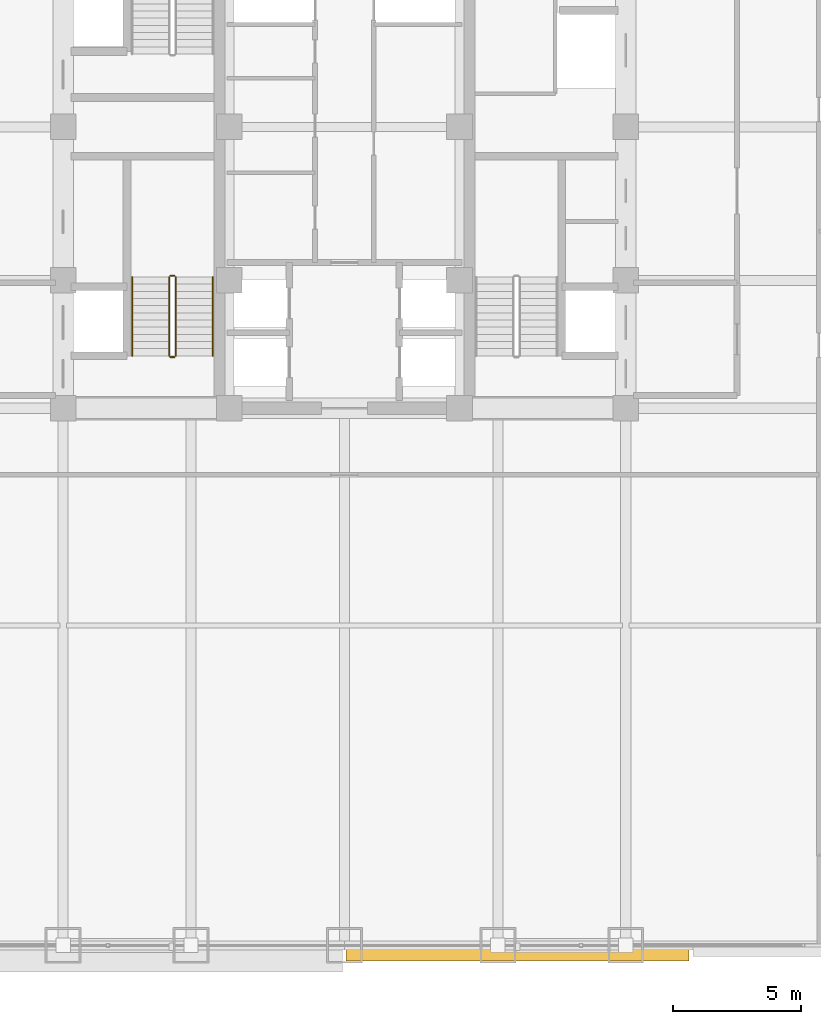
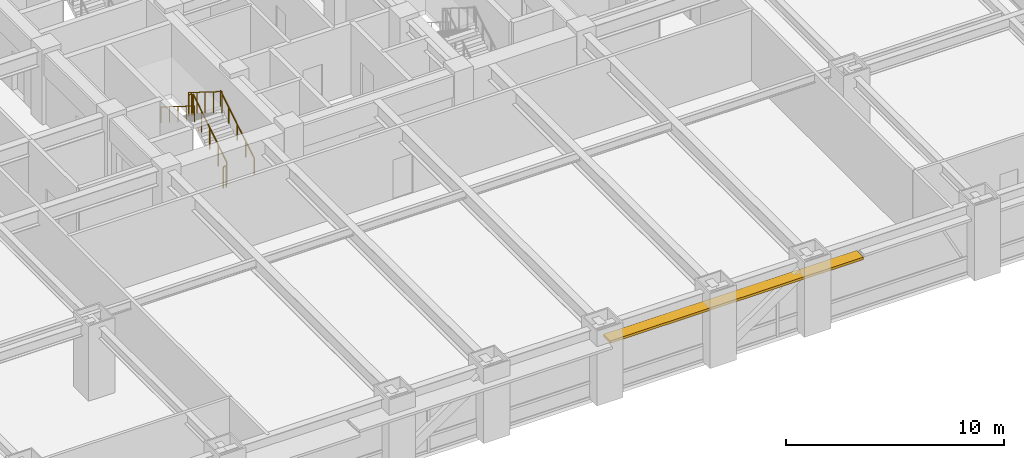
# One storey, part 28 of 31: 6 railings, 1 shading device.
"""IFC4 building model written with IfcOpenShell, lengths in metres."""

from ifc_helpers import new_model, si_unit, direction, frame, origin, origin_2d, place, context, subcontext, project, spatial, rectangle, circle, extrude, source, transform, mapped, material, layer, layer_set, type_object, element, save


model = new_model("IFC4")

# Units and contexts
model_context = context("Model", 3, precision=1e-05, world=origin(), true_north=direction((0.0, 1.0)))
body_context = subcontext(model_context, "Body", "Model", "MODEL_VIEW")
ifc_project = project(units=[si_unit("LENGTHUNIT", "METRE"), si_unit("AREAUNIT", "SQUARE_METRE"), si_unit("VOLUMEUNIT", "CUBIC_METRE"), si_unit("PLANEANGLEUNIT", "RADIAN"), si_unit("MASSUNIT", "GRAM", prefix="KILO")], contexts=[model_context])

# Site, building, storey
site_placement = place(None, origin())
site = spatial("IfcSite", under=ifc_project, at=site_placement, CompositionType="ELEMENT")
building_placement = place(site_placement, origin())
building = spatial("IfcBuilding", under=site, at=building_placement, Name="Khorayat Bourse Tower", CompositionType="ELEMENT")
storey_placement = place(building_placement, frame((0.0, 0.0, 32.60009765625)))
storey = spatial("IfcBuildingStorey", under=building, at=storey_placement, Name="L06", CompositionType="ELEMENT", Elevation=32.60009765625)

# Shading device
ifc_material_1 = material(Name="Precast concrete C45/55", Category="concrete")
ifc_layer = layer(ifc_material_1, 0.139892578125)
ifc_layer_set = layer_set([ifc_layer], Name="Precast concrete C45/55")
shading_device_type = type_object("IfcShadingDeviceType", Name="SHD-WAVE-TRAY-B", PredefinedType="USERDEFINED", material=ifc_layer_set)
shared_shape_1 = source(origin(), body_context, "Body", "SweptSolid", [
    extrude(rectangle(XDim=13.409912109375, YDim=0.627197265625, at=origin_2d()), origin(), (0.0, 0.0, 1.0), 0.139892578125),
])
shading_device_placement = place(storey_placement, frame((6.77490234375, -32.293701171875, 3.18994140625), z_axis=(0.0, 0.0, 1.0), x_axis=(1.0, 0.0, 0.0)))
element("IfcShadingDevice", 1, at=shading_device_placement, inside=storey, type_object=shading_device_type, Name="L06 Sinusoidal Wave Sunshade Tray S-3", ObjectType="SUNSHADE", PredefinedType="USERDEFINED", context=body_context, shape_type="MappedRepresentation", body=[
    mapped(shared_shape_1, transform((0.0, 0.0, 0.0), scale=1.0)),
])

# Railings
ifc_material_2 = material(Name="Powder-coated steel balustrade", Category="steel")
railing_type_1 = type_object("IfcRailingType", Name="RLG-GUARD-1200", PredefinedType="GUARDRAIL", material=ifc_material_2)
shared_shape_2 = source(origin(), body_context, "Body", "SweptSolid", [
    extrude(circle(Radius=0.02392578125, at=origin_2d()), frame((0.0, 0.0, 1.17578125), z_axis=(-1.0, 0.0, 0.0), x_axis=(0.0, -1.0, 0.0)), (0.0, 0.0, 1.0), 0.150146484375),
    extrude(circle(Radius=0.02099609375, at=origin_2d()), origin(), (0.0, 0.0, 1.0), 1.15185546875),
    extrude(circle(Radius=0.02099609375, at=origin_2d()), frame((-0.150146484375, 0.0, 0.0)), (0.0, 0.0, 1.0), 1.15185546875),
])
for number, where, name in (
    (2, (-6.64990234375, -5.820068359375, 2.099853515625), "L06 ST-1 stair guard 2"),
    (3, (-6.64990234375, -9.0, 0.0), "L06 ST-1 stair guard 4"),
):
    element("IfcRailing", number, at=place(storey_placement, frame(where)), inside=storey, type_object=railing_type_1, Name=name, PredefinedType="GUARDRAIL", context=body_context, shape_type="MappedRepresentation", body=[
        mapped(shared_shape_2, transform((0.0, 0.0, 0.0), scale=1.0)),
    ])
shared_shape_3 = source(origin(), body_context, "Body", "SweptSolid", [
    extrude(circle(Radius=0.02392578125, at=origin_2d()), frame((0.0, 0.0, 1.17578125), z_axis=(0.0, 0.847979421464, 0.530029150871), x_axis=(-1.0, 0.0, 0.0)), (0.0, 0.0, 1.0), 3.632080078125),
    extrude(circle(Radius=0.02099609375, at=origin_2d()), origin(), (0.0, 0.0, 1.0), 1.15185546875),
    extrude(circle(Radius=0.02099609375, at=origin_2d()), frame((0.0, 0.77001953125, 0.481201171875)), (0.0, 0.0, 1.0), 1.15185546875),
    extrude(circle(Radius=0.02099609375, at=origin_2d()), frame((0.0, 1.5400390625, 0.96240234375)), (0.0, 0.0, 1.0), 1.15185546875),
    extrude(circle(Radius=0.02099609375, at=origin_2d()), frame((0.0, 2.309814453125, 1.44384765625)), (0.0, 0.0, 1.0), 1.15185546875),
    extrude(circle(Radius=0.02099609375, at=origin_2d()), frame((0.0, 3.079833984375, 1.925048828125)), (0.0, 0.0, 1.0), 1.15185546875),
])
railing_1_placement = place(storey_placement, frame((-6.60009765625, -8.949951171875, 0.1748046875)))
element("IfcRailing", 4, at=railing_1_placement, inside=storey, type_object=railing_type_1, Name="L06 ST-1 stair guard 1", PredefinedType="GUARDRAIL", context=body_context, shape_type="MappedRepresentation", body=[
    mapped(shared_shape_3, transform((0.0, 0.0, 0.0), scale=1.0)),
])
shared_shape_4 = source(origin(), body_context, "Body", "SweptSolid", [
    extrude(circle(Radius=0.02392578125, at=origin_2d()), frame((0.0, 0.0, 1.17578125), z_axis=(0.0, -0.847979421464, 0.530029150871), x_axis=(1.0, 0.0, 0.0)), (0.0, 0.0, 1.0), 3.632080078125),
    extrude(circle(Radius=0.02099609375, at=origin_2d()), origin(), (0.0, 0.0, 1.0), 1.15185546875),
    extrude(circle(Radius=0.02099609375, at=origin_2d()), frame((0.0, -0.77001953125, 0.481201171875)), (0.0, 0.0, 1.0), 1.15185546875),
    extrude(circle(Radius=0.02099609375, at=origin_2d()), frame((0.0, -1.5400390625, 0.96240234375)), (0.0, 0.0, 1.0), 1.15185546875),
    extrude(circle(Radius=0.02099609375, at=origin_2d()), frame((0.0, -2.309814453125, 1.44384765625)), (0.0, 0.0, 1.0), 1.15185546875),
    extrude(circle(Radius=0.02099609375, at=origin_2d()), frame((0.0, -3.079833984375, 1.925048828125)), (0.0, 0.0, 1.0), 1.15185546875),
])
railing_2_placement = place(storey_placement, frame((-6.85009765625, -5.8701171875, 2.27490234375)))
element("IfcRailing", 5, at=railing_2_placement, inside=storey, type_object=railing_type_1, Name="L06 ST-1 stair guard 3", PredefinedType="GUARDRAIL", context=body_context, shape_type="MappedRepresentation", body=[
    mapped(shared_shape_4, transform((0.0, 0.0, 0.0), scale=1.0)),
])
ifc_material_3 = material(Name="Brushed bronze stainless-steel handrail", Category="steel")
railing_type_2 = type_object("IfcRailingType", Name="RLG-HAND-900", PredefinedType="HANDRAIL", material=ifc_material_3)
shared_shape_5 = source(origin(), body_context, "Body", "SweptSolid", [
    extrude(circle(Radius=0.02392578125, at=origin_2d()), frame((0.0, 0.0, 0.8759765625), z_axis=(0.0, 0.847979421464, 0.530029150871), x_axis=(-1.0, 0.0, 0.0)), (0.0, 0.0, 1.0), 3.632080078125),
    extrude(circle(Radius=0.02099609375, at=origin_2d()), origin(), (0.0, 0.0, 1.0), 0.851806640625),
    extrude(circle(Radius=0.02099609375, at=origin_2d()), frame((0.0, 0.77001953125, 0.481201171875)), (0.0, 0.0, 1.0), 0.851806640625),
    extrude(circle(Radius=0.02099609375, at=origin_2d()), frame((0.0, 1.5400390625, 0.96240234375)), (0.0, 0.0, 1.0), 0.851806640625),
    extrude(circle(Radius=0.02099609375, at=origin_2d()), frame((0.0, 2.309814453125, 1.44384765625)), (0.0, 0.0, 1.0), 0.851806640625),
    extrude(circle(Radius=0.02099609375, at=origin_2d()), frame((0.0, 3.079833984375, 1.925048828125)), (0.0, 0.0, 1.0), 0.851806640625),
])
railing_3_placement = place(storey_placement, frame((-5.14990234375, -8.949951171875, 0.1748046875)))
element("IfcRailing", 6, at=railing_3_placement, inside=storey, type_object=railing_type_2, Name="L06 ST-1 stair handrail 1", PredefinedType="HANDRAIL", context=body_context, shape_type="MappedRepresentation", body=[
    mapped(shared_shape_5, transform((0.0, 0.0, 0.0), scale=1.0)),
])
shared_shape_6 = source(origin(), body_context, "Body", "SweptSolid", [
    extrude(circle(Radius=0.02392578125, at=origin_2d()), frame((0.0, 0.0, 0.8759765625), z_axis=(0.0, -0.847979421464, 0.530029150871), x_axis=(1.0, 0.0, 0.0)), (0.0, 0.0, 1.0), 3.632080078125),
    extrude(circle(Radius=0.02099609375, at=origin_2d()), origin(), (0.0, 0.0, 1.0), 0.851806640625),
    extrude(circle(Radius=0.02099609375, at=origin_2d()), frame((0.0, -0.77001953125, 0.481201171875)), (0.0, 0.0, 1.0), 0.851806640625),
    extrude(circle(Radius=0.02099609375, at=origin_2d()), frame((0.0, -1.5400390625, 0.96240234375)), (0.0, 0.0, 1.0), 0.851806640625),
    extrude(circle(Radius=0.02099609375, at=origin_2d()), frame((0.0, -2.309814453125, 1.44384765625)), (0.0, 0.0, 1.0), 0.851806640625),
    extrude(circle(Radius=0.02099609375, at=origin_2d()), frame((0.0, -3.079833984375, 1.925048828125)), (0.0, 0.0, 1.0), 0.851806640625),
])
railing_4_placement = place(storey_placement, frame((-8.300048828125, -5.8701171875, 2.27490234375)))
element("IfcRailing", 7, at=railing_4_placement, inside=storey, type_object=railing_type_2, Name="L06 ST-1 stair handrail 2", PredefinedType="HANDRAIL", context=body_context, shape_type="MappedRepresentation", body=[
    mapped(shared_shape_6, transform((0.0, 0.0, 0.0), scale=1.0)),
])

save(model, "model.ifc")
